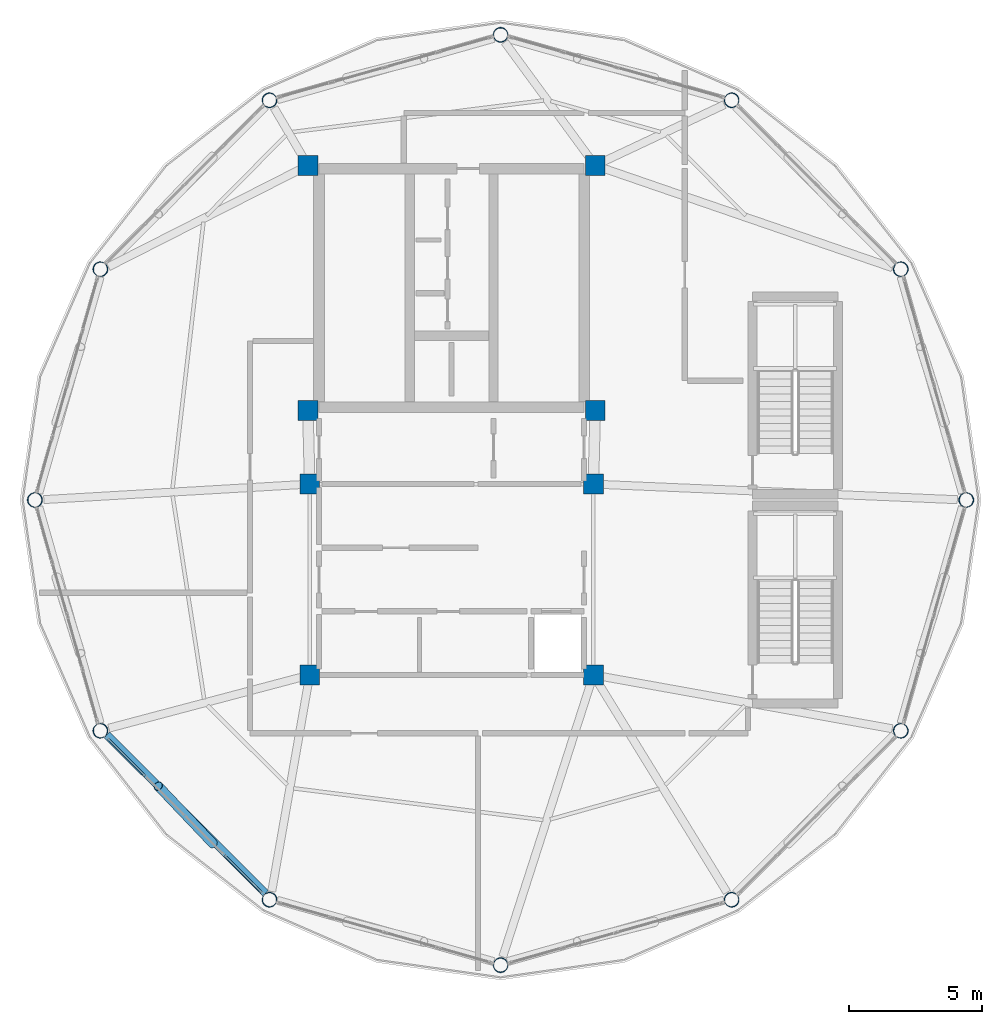
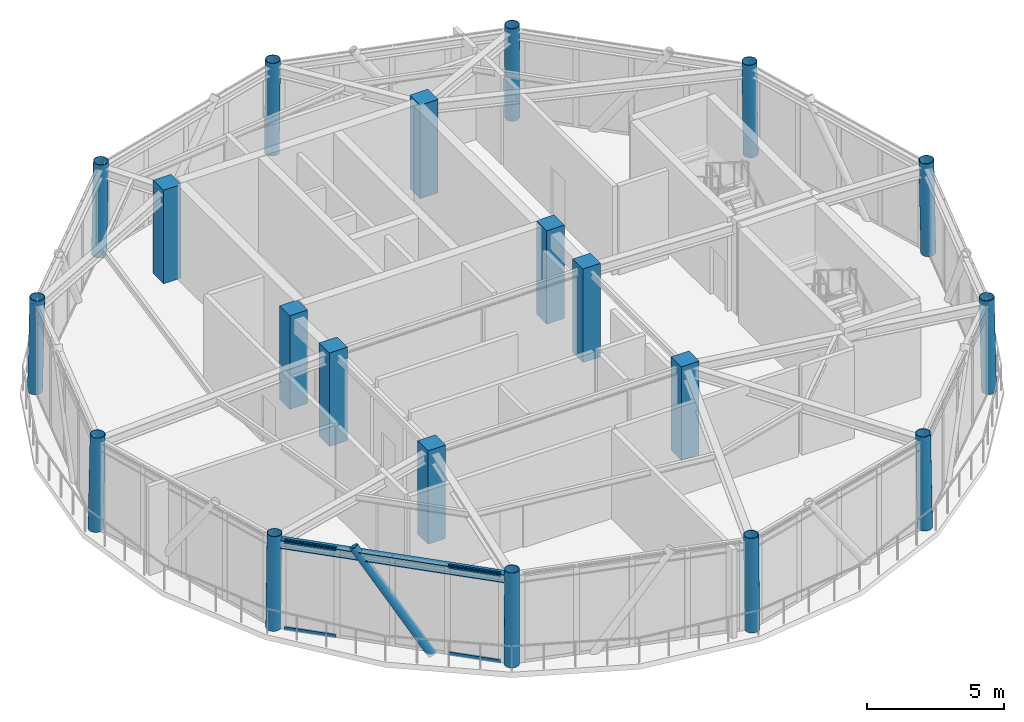
# One storey, part 1 of 21: 20 columns, 5 members, 1 beam, 1 element without a shape of its own.
"""IFC4 building model written with IfcOpenShell, lengths in metres."""

from ifc_helpers import new_model, si_unit, direction, frame, origin, origin_2d, place, context, subcontext, project, spatial, rectangle, hollow_rectangle, hollow_circle, i_section, extrude, material, layer, layer_set, material_profile, profile_set, type_object, element, aggregate, save


model = new_model("IFC4")

# Units and contexts
model_context = context("Model", 3, precision=1e-05, world=origin(), true_north=direction((0.0, 1.0)))
body_context = subcontext(model_context, "Body", "Model", "MODEL_VIEW")
ifc_project = project(units=[si_unit("LENGTHUNIT", "METRE"), si_unit("AREAUNIT", "SQUARE_METRE"), si_unit("VOLUMEUNIT", "CUBIC_METRE"), si_unit("PLANEANGLEUNIT", "RADIAN"), si_unit("MASSUNIT", "GRAM", prefix="KILO")], contexts=[model_context])

# Site, building, storey
site_placement = place(None, origin())
site = spatial("IfcSite", under=ifc_project, at=site_placement, CompositionType="ELEMENT")
building_placement = place(site_placement, origin())
building = spatial("IfcBuilding", under=site, at=building_placement, Name="Varnakorn Sky Granary", CompositionType="ELEMENT")
storey_placement = place(building_placement, frame((0.0, 0.0, 298.199951171875)))
storey = spatial("IfcBuildingStorey", under=building, at=storey_placement, Name="L76", CompositionType="ELEMENT", Elevation=298.199951171875)

# Columns
ifc_material_1 = material(Name="Steel S460M", Category="steel")
ifc_material_profile_1 = material_profile(ifc_material_1, hollow_circle(Radius=0.279541015625, WallThickness=0.02001953125, at=origin_2d()), Name="CHS 559x20")
ifc_profile_set_1 = profile_set([ifc_material_profile_1], Name="Steel S460M")
column_type_1 = type_object("IfcColumnType", Name="COL-DC-Z5", PredefinedType="COLUMN", material=ifc_profile_set_1)
column_1_placement = place(storey_placement, frame((22.428955078125, 0.0, 0.0), z_axis=(-0.020579232516, 0.0, 0.99978822517), x_axis=(0.0, -1.0, 0.0)))
element("IfcColumn", 1, at=column_1_placement, inside=storey, type_object=column_type_1, Name="Drum Perimeter Column DC01 L76", PredefinedType="COLUMN", context=body_context, shape_type="SweptSolid", body=[
    extrude(hollow_circle(Radius=0.279541015625, WallThickness=0.02001953125, at=origin_2d()), origin(), (0.0, 0.0, 1.0), 4.176025390625),
])
for number, where, z_axis, x_axis, name in (
    (2, (19.956787109375, 8.7109375, 0.0), (-0.017773291349, -0.008477392255, 0.99980610317), (0.430509737613, -0.902585932651, 0.0), "Drum Perimeter Column DC02 L76"),
    (3, (13.572021484375, 15.087890625, 0.0), (-0.010290133718, -0.014733600551, 0.999838504041), (0.819842821722, -0.572588637393, 0.0), "Drum Perimeter Column DC03 L76"),
):
    element("IfcColumn", number, at=place(storey_placement, frame(where, z_axis=z_axis, x_axis=x_axis)), inside=storey, type_object=column_type_1, Name=name, PredefinedType="COLUMN", context=body_context, shape_type="SweptSolid", body=[
        extrude(hollow_circle(Radius=0.279541015625, WallThickness=0.02001953125, at=origin_2d()), origin(), (0.0, 0.0, 1.0), 4.17578125),
    ])
column_2_placement = place(storey_placement, frame((4.85009765625, 17.556884765625, 0.0), z_axis=(0.0, -0.016955634784, 0.999856242891), x_axis=(1.0, 0.0, 0.0)))
element("IfcColumn", 4, at=column_2_placement, inside=storey, type_object=column_type_1, Name="Drum Perimeter Column DC04 L76", PredefinedType="COLUMN", context=body_context, shape_type="SweptSolid", body=[
    extrude(hollow_circle(Radius=0.279541015625, WallThickness=0.02001953125, at=origin_2d()), origin(), (0.0, 0.0, 1.0), 4.175537109375),
])
for number, where, z_axis, x_axis, name in (
    (5, (-3.8720703125, 15.087890625, 0.0), (0.010290133718, -0.014733600551, 0.999838504041), (0.819842821722, 0.572588637393, 0.0), "Drum Perimeter Column DC05 L76"),
    (6, (-10.2568359375, 8.7109375, 0.0), (0.017773291349, -0.008477392255, 0.99980610317), (0.430509737613, 0.902585932651, 0.0), "Drum Perimeter Column DC06 L76"),
):
    element("IfcColumn", number, at=place(storey_placement, frame(where, z_axis=z_axis, x_axis=x_axis)), inside=storey, type_object=column_type_1, Name=name, PredefinedType="COLUMN", context=body_context, shape_type="SweptSolid", body=[
        extrude(hollow_circle(Radius=0.279541015625, WallThickness=0.02001953125, at=origin_2d()), origin(), (0.0, 0.0, 1.0), 4.17578125),
    ])
column_3_placement = place(storey_placement, frame((-12.72900390625, 0.0, 0.0), z_axis=(0.020579232516, 0.0, 0.99978822517), x_axis=(0.0, 1.0, 0.0)))
element("IfcColumn", 7, at=column_3_placement, inside=storey, type_object=column_type_1, Name="Drum Perimeter Column DC07 L76", PredefinedType="COLUMN", context=body_context, shape_type="SweptSolid", body=[
    extrude(hollow_circle(Radius=0.279541015625, WallThickness=0.02001953125, at=origin_2d()), origin(), (0.0, 0.0, 1.0), 4.176025390625),
])
for number, where, z_axis, x_axis, name in (
    (8, (-10.2568359375, -8.7109375, 0.0), (0.017773291349, 0.008477392255, 0.99980610317), (-0.430509737613, 0.902585932651, 0.0), "Drum Perimeter Column DC08 L76"),
    (9, (-3.8720703125, -15.087890625, 0.0), (0.010290133718, 0.014733600551, 0.999838504041), (-0.819842821722, 0.572588637393, 0.0), "Drum Perimeter Column DC09 L76"),
):
    element("IfcColumn", number, at=place(storey_placement, frame(where, z_axis=z_axis, x_axis=x_axis)), inside=storey, type_object=column_type_1, Name=name, PredefinedType="COLUMN", context=body_context, shape_type="SweptSolid", body=[
        extrude(hollow_circle(Radius=0.279541015625, WallThickness=0.02001953125, at=origin_2d()), origin(), (0.0, 0.0, 1.0), 4.17578125),
    ])
column_4_placement = place(storey_placement, frame((4.85009765625, -17.556884765625, 0.0), z_axis=(0.0, 0.016955634784, 0.999856242891), x_axis=(-1.0, 0.0, 0.0)))
element("IfcColumn", 10, at=column_4_placement, inside=storey, type_object=column_type_1, Name="Drum Perimeter Column DC10 L76", PredefinedType="COLUMN", context=body_context, shape_type="SweptSolid", body=[
    extrude(hollow_circle(Radius=0.279541015625, WallThickness=0.02001953125, at=origin_2d()), origin(), (0.0, 0.0, 1.0), 4.175537109375),
])
for number, where, z_axis, x_axis, name in (
    (11, (13.572021484375, -15.087890625, 0.0), (-0.010290133718, 0.014733600551, 0.999838504041), (-0.819842821722, -0.572588637393, 0.0), "Drum Perimeter Column DC11 L76"),
    (12, (19.956787109375, -8.7109375, 0.0), (-0.017773291349, 0.008477392255, 0.99980610317), (-0.430509737613, -0.902585932651, 0.0), "Drum Perimeter Column DC12 L76"),
):
    element("IfcColumn", number, at=place(storey_placement, frame(where, z_axis=z_axis, x_axis=x_axis)), inside=storey, type_object=column_type_1, Name=name, PredefinedType="COLUMN", context=body_context, shape_type="SweptSolid", body=[
        extrude(hollow_circle(Radius=0.279541015625, WallThickness=0.02001953125, at=origin_2d()), origin(), (0.0, 0.0, 1.0), 4.17578125),
    ])
ifc_material_2 = material(Name="Concrete C50/60", Category="concrete")
ifc_material_profile_2 = material_profile(ifc_material_2, rectangle(XDim=0.75, YDim=0.75, at=origin_2d()), Name="RC 750x750")
ifc_profile_set_2 = profile_set([ifc_material_profile_2], Name="Concrete C50/60")
column_type_2 = type_object("IfcColumnType", Name="COL-MC-Z5", PredefinedType="COLUMN", material=ifc_profile_set_2)
for number, where, z_axis, x_axis, name in (
    (13, (-2.419921875, 12.6201171875, 0.0), (0.0, 0.0, 1.0), (1.0, 0.0, 0.0), "Backbone Mega-Column MC1 L76"),
    (14, (8.419921875, 12.6201171875, 0.0), (0.0, 0.0, 1.0), (1.0, 0.0, 0.0), "Backbone Mega-Column MC2 L76"),
    (15, (-2.419921875, 3.3798828125, 0.0), (0.0, 0.0, 1.0), (1.0, 0.0, 0.0), "Backbone Mega-Column MC3 L76"),
    (16, (8.419921875, 3.3798828125, 0.0), (0.0, 0.0, 1.0), (1.0, 0.0, 0.0), "Backbone Mega-Column MC4 L76"),
    (17, (-2.35009765625, 0.60009765625, 0.0), (0.0, 0.0, 1.0), (1.0, 0.0, 0.0), "Backbone Mega-Column MC5 L76"),
    (18, (8.35009765625, 0.60009765625, 0.0), (0.0, 0.0, 1.0), (1.0, 0.0, 0.0), "Backbone Mega-Column MC6 L76"),
    (19, (-2.35009765625, -6.60009765625, 0.0), (0.0, 0.0, 1.0), (1.0, 0.0, 0.0), "Backbone Mega-Column MC7 L76"),
    (20, (8.35009765625, -6.60009765625, 0.0), (0.0, 0.0, 1.0), (1.0, 0.0, 0.0), "Backbone Mega-Column MC8 L76"),
):
    element("IfcColumn", number, at=place(storey_placement, frame(where, z_axis=z_axis, x_axis=x_axis)), inside=storey, type_object=column_type_2, Name=name, PredefinedType="COLUMN", context=body_context, shape_type="SweptSolid", body=[
        extrude(rectangle(XDim=0.75, YDim=0.75, at=origin_2d()), origin(), (0.0, 0.0, 1.0), 4.175048828125),
    ])

# Beam
ifc_material_3 = material(Name="Steel S355JR", Category="steel")
ifc_material_profile_3 = material_profile(ifc_material_3, i_section(OverallWidth=0.300048828125, OverallDepth=0.360107421875, WebThickness=0.012451171875, FlangeThickness=0.0224609375, at=origin_2d()), Name="HE 360 B")
ifc_profile_set_3 = profile_set([ifc_material_profile_3], Name="Steel S355JR")
beam_type = type_object("IfcBeamType", Name="BM-SPD-Z5", PredefinedType="SPANDREL", material=ifc_profile_set_3)
beam_placement = place(storey_placement, frame((-9.995361328125, -8.862548828125, 3.780029296875), z_axis=(0.707251156456, -0.706962376433, 0.0), x_axis=(0.706962376433, 0.707251156456, 0.0)))
element("IfcBeam", 21, at=beam_placement, inside=storey, type_object=beam_type, Name="Perimeter Spandrel Ring Beam RB08 L76", PredefinedType="SPANDREL", context=body_context, shape_type="SweptSolid", body=[
    extrude(i_section(OverallWidth=0.300048828125, OverallDepth=0.360107421875, WebThickness=0.012451171875, FlangeThickness=0.0224609375, at=origin_2d()), origin(), (0.0, 0.0, 1.0), 8.4541015625),
])

# Curtain wall, members
ifc_material_4 = material(Name="Anodised Bronze Aluminium Alloy 6063-T6", Category="aluminium")
ifc_layer = layer(ifc_material_4, 0.22998046875, Name="Anodised Bronze Aluminium Alloy 6063-T6")
ifc_layer_set = layer_set([ifc_layer], Name="Anodised Bronze Aluminium Alloy 6063-T6")
curtain_wall_type = type_object("IfcCurtainWallType", Name="CW-LNT-1", PredefinedType="USERDEFINED", material=ifc_layer_set)
curtain_wall_placement = place(storey_placement, origin())
curtain_wall = element("IfcCurtainWall", 22, at=curtain_wall_placement, inside=storey, type_object=curtain_wall_type, Name="Unitised Curtain Wall CW7 CW-L76-B08", ObjectType="CURTAIN WALL", PredefinedType="USERDEFINED")
ifc_material_profile_4 = material_profile(ifc_material_4, hollow_rectangle(XDim=0.074951171875, YDim=0.159912109375, WallThickness=0.00390625, at=origin_2d()), Name="ALU TRAN 75x160")
ifc_profile_set_4 = profile_set([ifc_material_profile_4], Name="Anodised Bronze Aluminium Alloy 6063-T6")
member_type_1 = type_object("IfcMemberType", Name="CW-LNT-1-TRAN", PredefinedType="USERDEFINED", material=ifc_profile_set_4)
member_1_placement = place(storey_placement, frame((-4.165283203125, -14.794921875, 0.03759765625), z_axis=(-0.707539583712, 0.706673713592, 0.0), x_axis=(-0.706673713592, -0.707539583712, 0.0)))
member_1 = element("IfcMember", 23, at=member_1_placement, type_object=member_type_1, Name="CW7 transom 1.1", ObjectType="TRANSOM", PredefinedType="USERDEFINED", context=body_context, shape_type="SweptSolid", body=[
    extrude(hollow_rectangle(XDim=0.074951171875, YDim=0.159912109375, WallThickness=0.00390625, at=origin_2d()), origin(), (0.0, 0.0, 1.0), 1.9736328125),
])
member_2_placement = place(storey_placement, frame((-4.165283203125, -14.794921875, 3.922607421875), z_axis=(-0.707539583712, 0.706673713592, 0.0), x_axis=(-0.706673713592, -0.707539583712, 0.0)))
member_2 = element("IfcMember", 24, at=member_2_placement, type_object=member_type_1, Name="CW7 transom 1.2", ObjectType="TRANSOM", PredefinedType="USERDEFINED", context=body_context, shape_type="SweptSolid", body=[
    extrude(hollow_rectangle(XDim=0.074951171875, YDim=0.159912109375, WallThickness=0.00390625, at=origin_2d()), origin(), (0.0, 0.0, 1.0), 1.9736328125),
])
member_3_placement = place(storey_placement, frame((-8.567138671875, -10.398681640625, 0.03759765625), z_axis=(-0.707539583712, 0.706673713592, 0.0), x_axis=(-0.706673713592, -0.707539583712, 0.0)))
member_3 = element("IfcMember", 25, at=member_3_placement, type_object=member_type_1, Name="CW7 transom 4.1", ObjectType="TRANSOM", PredefinedType="USERDEFINED", context=body_context, shape_type="SweptSolid", body=[
    extrude(hollow_rectangle(XDim=0.074951171875, YDim=0.159912109375, WallThickness=0.00390625, at=origin_2d()), origin(), (0.0, 0.0, 1.0), 1.9736328125),
])
member_4_placement = place(storey_placement, frame((-8.567138671875, -10.398681640625, 3.922607421875), z_axis=(-0.707539583712, 0.706673713592, 0.0), x_axis=(-0.706673713592, -0.707539583712, 0.0)))
member_4 = element("IfcMember", 26, at=member_4_placement, type_object=member_type_1, Name="CW7 transom 4.2", ObjectType="TRANSOM", PredefinedType="USERDEFINED", context=body_context, shape_type="SweptSolid", body=[
    extrude(hollow_rectangle(XDim=0.074951171875, YDim=0.159912109375, WallThickness=0.00390625, at=origin_2d()), origin(), (0.0, 0.0, 1.0), 1.9736328125),
])
aggregate(curtain_wall, [member_1, member_2, member_3, member_4])

# Member
ifc_material_profile_5 = material_profile(ifc_material_1, hollow_circle(Radius=0.177734375, WallThickness=0.01416015625, at=origin_2d()), Name="CHS 355.6x14")
ifc_profile_set_5 = profile_set([ifc_material_profile_5], Name="Steel S460M")
member_type_2 = type_object("IfcMemberType", Name="MB-DIAG-T5", PredefinedType="BRACE", material=ifc_profile_set_5)
member_5_placement = place(storey_placement, frame((-6.000244140625, -12.96240234375, -0.1298828125), z_axis=(-0.398942624528, 0.419323799291, 0.815482883746), x_axis=(-0.724494517572, -0.689280562622, 0.0)))
element("IfcMember", 27, at=member_5_placement, inside=storey, type_object=member_type_2, Name="Perimeter CHS Diagrid Brace DG08 L76", PredefinedType="BRACE", context=body_context, shape_type="SweptSolid", body=[
    extrude(hollow_circle(Radius=0.177734375, WallThickness=0.01416015625, at=origin_2d()), origin(), (0.0, 0.0, 1.0), 5.1748046875),
])

save(model, "model.ifc")
